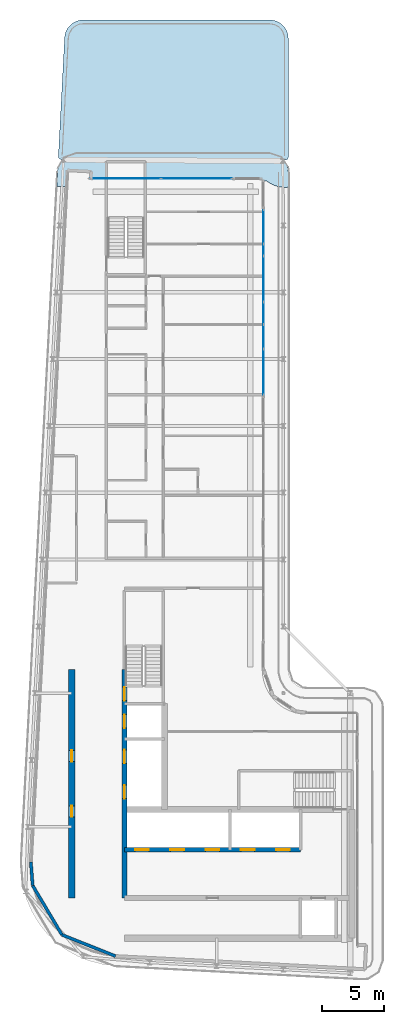
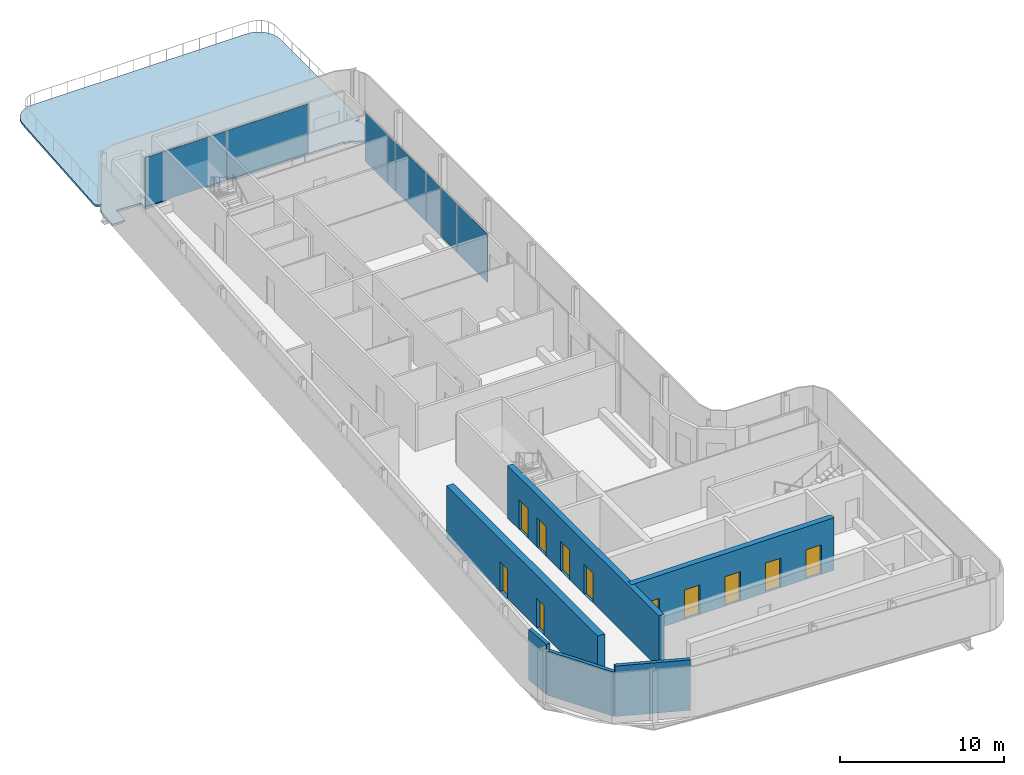
# One storey, part 8 of 15: 11 doors, 8 plates, 6 walls, 1 slab, 11 openings, 3 elements without a shape of their own.
"""IFC4 building model written with IfcOpenShell, lengths in metres."""

from ifc_helpers import new_model, si_unit, direction, frame, frame_2d, origin, origin_2d, place, context, subcontext, project, spatial, polyline, rectangle, outline, extrude, source, transform, mapped, material, layer, layer_set, type_object, element, fill, aggregate, save


model = new_model("IFC4")

# Units and contexts
model_context = context("Model", 3, precision=1e-05, world=origin(), true_north=direction((0.0, 1.0)))
body_context = subcontext(model_context, "Body", "Model", "MODEL_VIEW")
ifc_project = project(units=[si_unit("LENGTHUNIT", "METRE"), si_unit("AREAUNIT", "SQUARE_METRE"), si_unit("VOLUMEUNIT", "CUBIC_METRE"), si_unit("PLANEANGLEUNIT", "RADIAN"), si_unit("MASSUNIT", "GRAM", prefix="KILO")], contexts=[model_context])

# Site, building, storey
site_placement = place(None, origin())
site = spatial("IfcSite", under=ifc_project, at=site_placement, CompositionType="ELEMENT")
building_placement = place(site_placement, origin())
building = spatial("IfcBuilding", under=site, at=building_placement, Name="Kheshtan School and Residences Tower", CompositionType="ELEMENT")
storey_placement = place(building_placement, frame((0.0, 0.0, 338.300048828125)))
storey = spatial("IfcBuildingStorey", under=building, at=storey_placement, Name="L79", CompositionType="ELEMENT", Elevation=338.300048828125)

# Curtain wall, plates
ifc_material_1 = material(Name="Clear low-e glass in thermally broken aluminium frame", Category="aluminium")
ifc_layer_1 = layer(ifc_material_1, 0.199951171875)
ifc_layer_set_1 = layer_set([ifc_layer_1], Name="Curtain wall CW-L")
curtain_wall_type = type_object("IfcCurtainWallType", Name="Curtain wall CW-L", PredefinedType="NOTDEFINED", material=ifc_layer_set_1)
curtain_wall_1_placement = place(storey_placement, origin())
curtain_wall_1 = element("IfcCurtainWall", 1, at=curtain_wall_1_placement, inside=storey, type_object=curtain_wall_type, Name="Curtain wall CWL3", PredefinedType="NOTDEFINED")
ifc_layer_2 = layer(ifc_material_1, 0.031982421875)
ifc_layer_set_2 = layer_set([ifc_layer_2], Name="CW-L glass panel")
plate_type = type_object("IfcPlateType", Name="CW-L glass panel", PredefinedType="CURTAIN_PANEL", material=ifc_layer_set_2)
plate_1_placement = place(storey_placement, frame((34.8330078125, 87.199951171875, 0.0), z_axis=(0.0, 0.0, 1.0), x_axis=(1.0, 0.0, 0.0)))
plate_1 = element("IfcPlate", 2, at=plate_1_placement, type_object=plate_type, Name="CWL3 panel 1.1", PredefinedType="CURTAIN_PANEL", context=body_context, shape_type="SweptSolid", body=[
    extrude(rectangle(XDim=5.697998046875, YDim=0.031982421875, at=origin_2d()), origin(), (0.0, 0.0, 1.0), 3.6298828125),
])
plate_2_placement = place(storey_placement, frame((40.591064453125, 87.199951171875, 0.0), z_axis=(0.0, 0.0, 1.0), x_axis=(1.0, 0.0, 0.0)))
plate_2 = element("IfcPlate", 3, at=plate_2_placement, type_object=plate_type, Name="CWL3 panel 2.1", PredefinedType="CURTAIN_PANEL", context=body_context, shape_type="SweptSolid", body=[
    extrude(rectangle(XDim=5.697998046875, YDim=0.031982421875, at=origin_2d()), origin(), (0.0, 0.0, 1.0), 3.6298828125),
])
aggregate(curtain_wall_1, [plate_1, plate_2])

curtain_wall_2_placement = place(storey_placement, origin())
curtain_wall_2 = element("IfcCurtainWall", 4, at=curtain_wall_2_placement, inside=storey, type_object=curtain_wall_type, Name="Curtain wall CWL4", PredefinedType="NOTDEFINED")
plate_3_placement = place(storey_placement, frame((46.0, 83.284912109375, 0.0), z_axis=(0.0, 0.0, 1.0), x_axis=(0.0, -1.0, 0.0)))
plate_3 = element("IfcPlate", 5, at=plate_3_placement, type_object=plate_type, Name="CWL4 panel 1.1", PredefinedType="CURTAIN_PANEL", context=body_context, shape_type="SweptSolid", body=[
    extrude(rectangle(XDim=2.7099609375, YDim=0.031982421875, at=origin_2d()), origin(), (0.0, 0.0, 1.0), 3.6298828125),
])
plate_4_placement = place(storey_placement, frame((46.0, 81.420654296875, 0.0), z_axis=(0.0, 0.0, 1.0), x_axis=(0.0, -1.0, 0.0)))
plate_4 = element("IfcPlate", 6, at=plate_4_placement, type_object=plate_type, Name="CWL4 panel 2.1", PredefinedType="CURTAIN_PANEL", context=body_context, shape_type="SweptSolid", body=[
    extrude(rectangle(XDim=0.898681640625, YDim=0.031982421875, at=origin_2d()), origin(), (0.0, 0.0, 1.0), 3.6298828125),
])
plate_5_placement = place(storey_placement, frame((46.0, 79.076904296875, 0.0), z_axis=(0.0, 0.0, 1.0), x_axis=(0.0, -1.0, 0.0)))
plate_5 = element("IfcPlate", 7, at=plate_5_placement, type_object=plate_type, Name="CWL4 panel 3.1", PredefinedType="CURTAIN_PANEL", context=body_context, shape_type="SweptSolid", body=[
    extrude(rectangle(XDim=3.668701171875, YDim=0.031982421875, at=origin_2d()), origin(), (0.0, 0.0, 1.0), 3.6298828125),
])
aggregate(curtain_wall_2, [plate_3, plate_4, plate_5])

curtain_wall_3_placement = place(storey_placement, origin())
curtain_wall_3 = element("IfcCurtainWall", 8, at=curtain_wall_3_placement, inside=storey, type_object=curtain_wall_type, Name="Curtain wall CWL4", PredefinedType="NOTDEFINED")
plate_6_placement = place(storey_placement, frame((46.0, 76.30615234375, 0.0), z_axis=(0.0, 0.0, 1.0), x_axis=(0.0, -1.0, 0.0)))
plate_6 = element("IfcPlate", 9, at=plate_6_placement, type_object=plate_type, Name="CWL4 panel 1.1", PredefinedType="CURTAIN_PANEL", context=body_context, shape_type="SweptSolid", body=[
    extrude(rectangle(XDim=1.75244140625, YDim=0.031982421875, at=origin_2d()), origin(), (0.0, 0.0, 1.0), 3.6298828125),
])
plate_7_placement = place(storey_placement, frame((46.0, 74.411865234375, 0.0), z_axis=(0.0, 0.0, 1.0), x_axis=(0.0, -1.0, 0.0)))
plate_7 = element("IfcPlate", 10, at=plate_7_placement, type_object=plate_type, Name="CWL4 panel 2.1", PredefinedType="CURTAIN_PANEL", context=body_context, shape_type="SweptSolid", body=[
    extrude(rectangle(XDim=1.916259765625, YDim=0.031982421875, at=origin_2d()), origin(), (0.0, 0.0, 1.0), 3.6298828125),
])
plate_8_placement = place(storey_placement, frame((46.0, 71.559326171875, 0.0), z_axis=(0.0, 0.0, 1.0), x_axis=(0.0, -1.0, 0.0)))
plate_8 = element("IfcPlate", 11, at=plate_8_placement, type_object=plate_type, Name="CWL4 panel 3.1", PredefinedType="CURTAIN_PANEL", context=body_context, shape_type="SweptSolid", body=[
    extrude(rectangle(XDim=3.668701171875, YDim=0.031982421875, at=origin_2d()), origin(), (0.0, 0.0, 1.0), 3.6298828125),
])
aggregate(curtain_wall_3, [plate_6, plate_7, plate_8])

# Slab
ifc_material_2 = material(Name="Concrete C40/50", Category="concrete")
ifc_layer_3 = layer(ifc_material_2, 0.14990234375)
ifc_layer_set_3 = layer_set([ifc_layer_3], Name="Terrace slab 150 Concrete C40/50")
slab_type = type_object("IfcSlabType", Name="Terrace slab 150 Concrete C40/50", PredefinedType="FLOOR", material=ifc_layer_set_3)
slab_placement = place(storey_placement, frame((0.0, 0.0, -0.150146484375)))
element("IfcSlab", 12, at=slab_placement, inside=storey, type_object=slab_type, Name="Terrace slab L79", PredefinedType="FLOOR", context=body_context, shape_type="SweptSolid", body=[
    extrude(outline(polyline([(29.29296875, 86.568115234375), (29.35693359375, 87.779052734375), (29.363037109375, 87.826904296875), (29.363037109375, 87.827880859375), (29.362060546875, 87.827880859375), (29.362060546875, 87.8291015625), (29.361083984375, 87.8291015625), (29.361083984375, 87.830078125), (29.360107421875, 87.830078125), (29.360107421875, 87.8310546875), (29.35888671875, 87.8310546875), (29.35888671875, 87.83203125), (29.35888671875, 87.8330078125), (29.376953125, 87.98095703125), (29.376953125, 87.98388671875), (29.376953125, 87.985107421875), (29.3779296875, 87.985107421875), (29.3779296875, 87.986083984375), (29.37890625, 87.986083984375), (29.37890625, 87.987060546875), (29.3798828125, 87.987060546875), (29.381103515625, 87.987060546875), (29.381103515625, 87.988037109375), (29.382080078125, 87.988037109375), (29.43505859375, 88.18408203125), (29.514892578125, 88.375), (29.62109375, 88.552978515625), (29.7470703125, 88.7109375), (29.748046875, 88.7109375), (29.748046875, 88.7119140625), (29.7490234375, 88.7119140625), (29.7490234375, 88.712890625), (29.75, 88.712890625), (29.75, 88.714111328125), (29.81494140625, 88.777099609375), (29.81591796875, 88.777099609375), (29.81591796875, 88.778076171875), (29.81591796875, 88.779052734375), (29.81494140625, 88.779052734375), (29.81494140625, 88.780029296875), (29.81396484375, 88.780029296875), (29.81298828125, 88.780029296875), (29.803955078125, 88.77294921875), (29.781982421875, 88.760986328125), (29.759033203125, 88.7509765625), (29.739013671875, 88.743896484375), (29.736083984375, 88.743896484375), (29.7109375, 88.738037109375), (29.68701171875, 88.736083984375), (29.662109375, 88.735107421875), (29.636962890625, 88.737060546875), (29.613037109375, 88.741943359375), (29.610107421875, 88.741943359375), (29.589111328125, 88.7490234375), (29.56591796875, 88.758056640625), (29.5439453125, 88.77001953125), (29.52294921875, 88.782958984375), (29.507080078125, 88.7958984375), (29.507080078125, 88.797119140625), (29.506103515625, 88.797119140625), (29.506103515625, 88.798095703125), (29.5048828125, 88.798095703125), (29.5048828125, 88.799072265625), (29.50390625, 88.799072265625), (29.487060546875, 88.81591796875), (29.487060546875, 88.81689453125), (29.486083984375, 88.81689453125), (29.486083984375, 88.818115234375), (29.485107421875, 88.818115234375), (29.485107421875, 88.819091796875), (29.48388671875, 88.819091796875), (29.470947265625, 88.8349609375), (29.45703125, 88.85595703125), (29.445068359375, 88.8779296875), (29.43603515625, 88.90087890625), (29.427978515625, 88.9208984375), (29.427978515625, 88.924072265625), (29.424072265625, 88.948974609375), (29.4208984375, 88.972900390625), (29.4208984375, 88.998046875), (29.924072265625, 98.570068359375), (29.926025390625, 98.5869140625), (29.947998046875, 98.76708984375), (29.9541015625, 98.801025390625), (29.9541015625, 98.803955078125), (29.998046875, 98.967041015625), (30.010009765625, 99.0009765625), (30.077880859375, 99.159912109375), (30.092041015625, 99.18798828125), (30.178955078125, 99.3369140625), (30.18896484375, 99.35302734375), (30.199951171875, 99.367919921875), (30.304931640625, 99.4990234375), (30.305908203125, 99.4990234375), (30.305908203125, 99.5), (30.306884765625, 99.5), (30.306884765625, 99.5009765625), (30.30810546875, 99.5009765625), (30.30810546875, 99.501953125), (30.3310546875, 99.52587890625), (30.4560546875, 99.64501953125), (30.45703125, 99.64501953125), (30.45703125, 99.64599609375), (30.4580078125, 99.64599609375), (30.4580078125, 99.64697265625), (30.458984375, 99.64697265625), (30.458984375, 99.64794921875), (30.48291015625, 99.66796875), (30.6220703125, 99.76708984375), (30.65087890625, 99.783935546875), (30.804931640625, 99.864990234375), (30.8369140625, 99.87890625), (30.9990234375, 99.93701171875), (31.028076171875, 99.947021484375), (31.031005859375, 99.947021484375), (31.199951171875, 99.98291015625), (31.235107421875, 99.987060546875), (31.4140625, 99.9990234375), (31.430908203125, 100.0), (46.491943359375, 100.0), (46.508056640625, 99.9990234375), (46.678955078125, 99.988037109375), (46.7119140625, 99.98388671875), (46.8720703125, 99.951904296875), (46.903076171875, 99.944091796875), (46.906005859375, 99.944091796875), (47.05810546875, 99.89208984375), (47.089111328125, 99.87890625), (47.236083984375, 99.805908203125), (47.263916015625, 99.7900390625), (47.39990234375, 99.698974609375), (47.425048828125, 99.679931640625), (47.544921875, 99.575927734375), (47.544921875, 99.574951171875), (47.5458984375, 99.574951171875), (47.5458984375, 99.573974609375), (47.547119140625, 99.573974609375), (47.547119140625, 99.572998046875), (47.548095703125, 99.572998046875), (47.572998046875, 99.548095703125), (47.572998046875, 99.547119140625), (47.573974609375, 99.547119140625), (47.573974609375, 99.5458984375), (47.574951171875, 99.5458984375), (47.574951171875, 99.544921875), (47.575927734375, 99.544921875), (47.679931640625, 99.425048828125), (47.698974609375, 99.39990234375), (47.7900390625, 99.263916015625), (47.805908203125, 99.236083984375), (47.87890625, 99.089111328125), (47.89208984375, 99.05810546875), (47.944091796875, 98.906005859375), (47.944091796875, 98.903076171875), (47.951904296875, 98.8720703125), (47.98388671875, 98.7119140625), (47.988037109375, 98.678955078125), (47.9990234375, 98.508056640625), (48.0, 98.491943359375), (48.0, 88.924072265625), (47.9990234375, 88.89892578125), (47.9951171875, 88.875), (47.989013671875, 88.85107421875), (47.989013671875, 88.847900390625), (47.98095703125, 88.827880859375), (47.969970703125, 88.805908203125), (47.9580078125, 88.784912109375), (47.946044921875, 88.76806640625), (47.945068359375, 88.76806640625), (47.945068359375, 88.76708984375), (47.944091796875, 88.76708984375), (47.944091796875, 88.76611328125), (47.943115234375, 88.76611328125), (47.943115234375, 88.764892578125), (47.927001953125, 88.7470703125), (47.908935546875, 88.73095703125), (47.907958984375, 88.73095703125), (47.907958984375, 88.72998046875), (47.906982421875, 88.72998046875), (47.906982421875, 88.72900390625), (47.906005859375, 88.72900390625), (47.906005859375, 88.72802734375), (47.888916015625, 88.716064453125), (47.867919921875, 88.7041015625), (47.845947265625, 88.693115234375), (47.825927734375, 88.68505859375), (47.822998046875, 88.68505859375), (47.799072265625, 88.678955078125), (47.77490234375, 88.675048828125), (47.75, 88.674072265625), (47.72509765625, 88.675048828125), (47.700927734375, 88.678955078125), (47.677001953125, 88.68505859375), (47.674072265625, 88.68505859375), (47.654052734375, 88.693115234375), (47.632080078125, 88.7041015625), (47.611083984375, 88.716064453125), (47.595947265625, 88.72705078125), (47.594970703125, 88.72705078125), (47.593994140625, 88.72705078125), (47.593994140625, 88.72607421875), (47.593017578125, 88.72607421875), (47.593017578125, 88.72509765625), (47.593017578125, 88.72412109375), (47.68701171875, 88.615966796875), (47.68798828125, 88.615966796875), (47.68798828125, 88.614990234375), (47.68896484375, 88.614990234375), (47.68896484375, 88.614013671875), (47.68994140625, 88.614013671875), (47.694091796875, 88.614013671875), (47.695068359375, 88.614013671875), (47.695068359375, 88.613037109375), (47.696044921875, 88.613037109375), (47.696044921875, 88.612060546875), (47.799072265625, 88.45703125), (47.800048828125, 88.45703125), (47.800048828125, 88.4560546875), (47.801025390625, 88.4560546875), (47.801025390625, 88.455078125), (47.802001953125, 88.455078125), (47.802001953125, 88.4541015625), (47.802978515625, 88.4541015625), (47.802978515625, 88.452880859375), (47.802978515625, 88.449951171875), (47.802978515625, 88.448974609375), (47.802001953125, 88.448974609375), (47.802001953125, 88.447998046875), (47.801025390625, 88.447998046875), (47.801025390625, 88.447021484375), (47.801025390625, 88.446044921875), (47.801025390625, 88.445068359375), (47.885986328125, 88.27392578125), (47.948974609375, 88.091064453125), (47.948974609375, 88.087890625), (47.987060546875, 87.89599609375), (48.0, 87.699951171875), (48.0, 86.491943359375), (48.0, 86.490966796875), (47.9990234375, 86.490966796875), (47.863037109375, 86.47705078125), (47.837890625, 86.47607421875), (47.662109375, 86.47607421875), (47.636962890625, 86.47705078125), (47.363037109375, 86.5048828125), (47.339111328125, 86.509033203125), (47.1669921875, 86.544921875), (47.14306640625, 86.551025390625), (47.139892578125, 86.551025390625), (46.9541015625, 86.60693359375), (46.930908203125, 86.614990234375), (46.669921875, 86.72509765625), (46.64794921875, 86.736083984375), (46.5400390625, 86.7939453125), (46.51904296875, 86.805908203125), (46.291015625, 86.9560546875), (46.27099609375, 86.970947265625), (46.237060546875, 86.9990234375), (46.236083984375, 86.9990234375), (45.90087890625, 86.9990234375), (45.89990234375, 86.9990234375), (45.89990234375, 87.0), (45.89990234375, 87.097900390625), (45.89990234375, 87.09912109375), (45.89892578125, 87.09912109375), (45.89892578125, 87.10009765625), (45.89794921875, 87.10009765625), (36.35009765625, 87.10009765625), (36.35009765625, 88.4599609375), (33.39990234375, 88.4599609375), (33.39990234375, 87.10009765625), (31.925048828125, 87.10009765625), (31.924072265625, 87.10009765625), (31.952880859375, 87.639892578125), (31.952880859375, 87.64111328125), (31.951904296875, 87.64111328125), (31.951904296875, 87.64208984375), (31.950927734375, 87.64208984375), (31.949951171875, 87.64208984375), (30.260009765625, 87.73193359375), (30.259033203125, 87.73193359375), (30.259033203125, 87.73095703125), (30.258056640625, 87.73095703125), (30.258056640625, 87.72998046875), (30.258056640625, 87.72900390625), (30.25390625, 87.700927734375), (30.196044921875, 86.593994140625), (30.196044921875, 86.593017578125), (30.195068359375, 86.593017578125), (30.06005859375, 86.56591796875), (29.89404296875, 86.5458984375), (29.8701171875, 86.5439453125), (29.77490234375, 86.5380859375), (29.75, 86.537109375), (29.487060546875, 86.5419921875), (29.4619140625, 86.5439453125), (29.2939453125, 86.568115234375), (29.29296875, 86.568115234375)])), origin(), (0.0, 0.0, 1.0), 0.150146484375),
])

# Wall, openings, doors
ifc_material_3 = material(Name="Concrete C50/60", Category="concrete")
ifc_layer_4 = layer(ifc_material_3, 0.39990234375)
ifc_layer_set_4 = layer_set([ifc_layer_4], Name="Core wall 400 Concrete C50/60")
wall_type_1 = type_object("IfcWallType", Name="Core wall 400 Concrete C50/60", PredefinedType="SHEAR", material=ifc_layer_set_4)
wall_1_placement = place(storey_placement, frame((34.75, 32.949951171875, 0.0), z_axis=(0.0, 0.0, 1.0), x_axis=(1.0, 0.0, 0.0)))
wall_1 = element("IfcWall", 13, at=wall_1_placement, inside=storey, type_object=wall_type_1, Name="Core wall CW-HALL-S2", PredefinedType="SHEAR", context=body_context, shape_type="SweptSolid", body=[
    extrude(rectangle(XDim=14.25, YDim=0.39990234375, at=frame_2d((7.125, 0.0))), origin(), (0.0, 0.0, 1.0), 3.89990234375),
])
opening_1_placement = place(wall_1_placement, frame((0.875, 0.0, 0.0)))
opening_1 = element("IfcOpeningElement", 14, at=opening_1_placement, cuts=wall_1, Name="Opening LD", PredefinedType="OPENING", context=body_context, shape_type="SweptSolid", body=[
    extrude(rectangle(XDim=1.10009765625, YDim=2.199951171875, at=frame_2d((0.550048828125, 1.10009765625))), frame((0.0, 0.2099609375, 0.0), z_axis=(0.0, -1.0, 0.0), x_axis=(1.0, 0.0, 0.0)), (0.0, 0.0, 1.0), 0.419921875),
])
opening_2_placement = place(wall_1_placement, frame((3.72509765625, 0.0, 0.0)))
opening_2 = element("IfcOpeningElement", 15, at=opening_2_placement, cuts=wall_1, Name="Opening LD", PredefinedType="OPENING", context=body_context, shape_type="SweptSolid", body=[
    extrude(rectangle(XDim=1.10009765625, YDim=2.199951171875, at=frame_2d((0.550048828125, 1.10009765625))), frame((0.0, 0.2099609375, 0.0), z_axis=(0.0, -1.0, 0.0), x_axis=(1.0, 0.0, 0.0)), (0.0, 0.0, 1.0), 0.419921875),
])
opening_3_placement = place(wall_1_placement, frame((6.574951171875, 0.0, 0.0)))
opening_3 = element("IfcOpeningElement", 16, at=opening_3_placement, cuts=wall_1, Name="Opening LD", PredefinedType="OPENING", context=body_context, shape_type="SweptSolid", body=[
    extrude(rectangle(XDim=1.10009765625, YDim=2.199951171875, at=frame_2d((0.550048828125, 1.10009765625))), frame((0.0, 0.2099609375, 0.0), z_axis=(0.0, -1.0, 0.0), x_axis=(1.0, 0.0, 0.0)), (0.0, 0.0, 1.0), 0.419921875),
])
opening_4_placement = place(wall_1_placement, frame((9.425048828125, 0.0, 0.0)))
opening_4 = element("IfcOpeningElement", 17, at=opening_4_placement, cuts=wall_1, Name="Opening LD", PredefinedType="OPENING", context=body_context, shape_type="SweptSolid", body=[
    extrude(rectangle(XDim=1.10009765625, YDim=2.199951171875, at=frame_2d((0.550048828125, 1.10009765625))), frame((0.0, 0.2099609375, 0.0), z_axis=(0.0, -1.0, 0.0), x_axis=(1.0, 0.0, 0.0)), (0.0, 0.0, 1.0), 0.419921875),
])
opening_5_placement = place(wall_1_placement, frame((12.27490234375, 0.0, 0.0)))
opening_5 = element("IfcOpeningElement", 18, at=opening_5_placement, cuts=wall_1, Name="Opening LD", PredefinedType="OPENING", context=body_context, shape_type="SweptSolid", body=[
    extrude(rectangle(XDim=1.10009765625, YDim=2.199951171875, at=frame_2d((0.550048828125, 1.10009765625))), frame((0.0, 0.2099609375, 0.0), z_axis=(0.0, -1.0, 0.0), x_axis=(1.0, 0.0, 0.0)), (0.0, 0.0, 1.0), 0.419921875),
])
ifc_material_4 = material(Name="Stainless steel door leaves", Category="steel")
door_type_1 = type_object("IfcDoorType", Name="Lift landing door 1100", OperationType="SLIDING_TO_LEFT", PredefinedType="DOOR", material=ifc_material_4)
shared_shape_1 = source(origin(), body_context, "Body", "SweptSolid", [
    extrude(rectangle(XDim=1.10009765625, YDim=2.199951171875, at=frame_2d((0.550048828125, 1.10009765625))), frame((0.0, 0.02490234375, 0.0), z_axis=(0.0, -1.0, 0.0), x_axis=(1.0, 0.0, 0.0)), (0.0, 0.0, 1.0), 0.050048828125),
])
door_1_placement = place(opening_1_placement, origin())
door_1 = element("IfcDoor", 19, at=door_1_placement, inside=storey, type_object=door_type_1, Name="Lift P12 landing door", OperationType="SLIDING_TO_LEFT", OverallHeight=2.199951171875, OverallWidth=1.10009765625, PredefinedType="DOOR", context=body_context, shape_type="MappedRepresentation", body=[
    mapped(shared_shape_1, transform((0.0, 0.0, 0.0), x_axis=(1.0, 0.0, 0.0), y_axis=(0.0, 1.0, 0.0), z_axis=(0.0, 0.0, 1.0), scale=1.0)),
])
fill(opening_1, door_1)
door_2_placement = place(opening_2_placement, origin())
door_2 = element("IfcDoor", 20, at=door_2_placement, inside=storey, type_object=door_type_1, Name="Lift P13 landing door", OperationType="SLIDING_TO_LEFT", OverallHeight=2.199951171875, OverallWidth=1.10009765625, PredefinedType="DOOR", context=body_context, shape_type="MappedRepresentation", body=[
    mapped(shared_shape_1, transform((0.0, 0.0, 0.0), x_axis=(1.0, 0.0, 0.0), y_axis=(0.0, 1.0, 0.0), z_axis=(0.0, 0.0, 1.0), scale=1.0)),
])
fill(opening_2, door_2)
door_3_placement = place(opening_3_placement, origin())
door_3 = element("IfcDoor", 21, at=door_3_placement, inside=storey, type_object=door_type_1, Name="Lift P14 landing door", OperationType="SLIDING_TO_LEFT", OverallHeight=2.199951171875, OverallWidth=1.10009765625, PredefinedType="DOOR", context=body_context, shape_type="MappedRepresentation", body=[
    mapped(shared_shape_1, transform((0.0, 0.0, 0.0), x_axis=(1.0, 0.0, 0.0), y_axis=(0.0, 1.0, 0.0), z_axis=(0.0, 0.0, 1.0), scale=1.0)),
])
fill(opening_3, door_3)
door_4_placement = place(opening_4_placement, origin())
door_4 = element("IfcDoor", 22, at=door_4_placement, inside=storey, type_object=door_type_1, Name="Lift P15 landing door", OperationType="SLIDING_TO_LEFT", OverallHeight=2.199951171875, OverallWidth=1.10009765625, PredefinedType="DOOR", context=body_context, shape_type="MappedRepresentation", body=[
    mapped(shared_shape_1, transform((0.0, 0.0, 0.0), x_axis=(1.0, 0.0, 0.0), y_axis=(0.0, 1.0, 0.0), z_axis=(0.0, 0.0, 1.0), scale=1.0)),
])
fill(opening_4, door_4)
door_5_placement = place(opening_5_placement, origin())
door_5 = element("IfcDoor", 23, at=door_5_placement, inside=storey, type_object=door_type_1, Name="Lift P16 landing door", OperationType="SLIDING_TO_LEFT", OverallHeight=2.199951171875, OverallWidth=1.10009765625, PredefinedType="DOOR", context=body_context, shape_type="MappedRepresentation", body=[
    mapped(shared_shape_1, transform((0.0, 0.0, 0.0), x_axis=(1.0, 0.0, 0.0), y_axis=(0.0, 1.0, 0.0), z_axis=(0.0, 0.0, 1.0), scale=1.0)),
])
fill(opening_5, door_5)

wall_2_placement = place(storey_placement, frame((34.75, 29.050048828125, 0.0), z_axis=(0.0, 0.0, 1.0), x_axis=(0.0, 1.0, 0.0)))
wall_2 = element("IfcWall", 24, at=wall_2_placement, inside=storey, type_object=wall_type_1, Name="Core wall CW-HALL-W1", PredefinedType="SHEAR", context=body_context, shape_type="SweptSolid", body=[
    extrude(rectangle(XDim=18.449951171875, YDim=0.39990234375, at=frame_2d((9.22509765625, 0.0))), origin(), (0.0, 0.0, 1.0), 3.89990234375),
])
opening_6_placement = place(wall_2_placement, frame((8.02490234375, 0.0, 0.0)))
opening_6 = element("IfcOpeningElement", 25, at=opening_6_placement, cuts=wall_2, Name="Opening LD", PredefinedType="OPENING", context=body_context, shape_type="SweptSolid", body=[
    extrude(rectangle(XDim=1.10009765625, YDim=2.199951171875, at=frame_2d((0.550048828125, 1.10009765625))), frame((0.0, 0.2099609375, 0.0), z_axis=(0.0, -1.0, 0.0), x_axis=(1.0, 0.0, 0.0)), (0.0, 0.0, 1.0), 0.419921875),
])
opening_7_placement = place(wall_2_placement, frame((10.875, 0.0, 0.0)))
opening_7 = element("IfcOpeningElement", 26, at=opening_7_placement, cuts=wall_2, Name="Opening LD", PredefinedType="OPENING", context=body_context, shape_type="SweptSolid", body=[
    extrude(rectangle(XDim=1.10009765625, YDim=2.199951171875, at=frame_2d((0.550048828125, 1.10009765625))), frame((0.0, 0.2099609375, 0.0), z_axis=(0.0, -1.0, 0.0), x_axis=(1.0, 0.0, 0.0)), (0.0, 0.0, 1.0), 0.419921875),
])
opening_8_placement = place(wall_2_placement, frame((13.72509765625, 0.0, 0.0)))
opening_8 = element("IfcOpeningElement", 27, at=opening_8_placement, cuts=wall_2, Name="Opening LD", PredefinedType="OPENING", context=body_context, shape_type="SweptSolid", body=[
    extrude(rectangle(XDim=1.10009765625, YDim=2.199951171875, at=frame_2d((0.550048828125, 1.10009765625))), frame((0.0, 0.2099609375, 0.0), z_axis=(0.0, -1.0, 0.0), x_axis=(1.0, 0.0, 0.0)), (0.0, 0.0, 1.0), 0.419921875),
])
opening_9_placement = place(wall_2_placement, frame((15.949951171875, 0.0, 0.0)))
opening_9 = element("IfcOpeningElement", 28, at=opening_9_placement, cuts=wall_2, Name="Opening ST2D", PredefinedType="OPENING", context=body_context, shape_type="SweptSolid", body=[
    extrude(rectangle(XDim=1.10009765625, YDim=2.199951171875, at=frame_2d((0.550048828125, 1.10009765625))), frame((0.0, 0.2099609375, 0.0), z_axis=(0.0, -1.0, 0.0), x_axis=(1.0, 0.0, 0.0)), (0.0, 0.0, 1.0), 0.419921875),
])
door_6_placement = place(opening_6_placement, origin())
door_6 = element("IfcDoor", 29, at=door_6_placement, inside=storey, type_object=door_type_1, Name="Lift SV1 landing door", OperationType="SLIDING_TO_LEFT", OverallHeight=2.199951171875, OverallWidth=1.10009765625, PredefinedType="DOOR", context=body_context, shape_type="MappedRepresentation", body=[
    mapped(shared_shape_1, transform((0.0, 0.0, 0.0), x_axis=(1.0, 0.0, 0.0), y_axis=(0.0, 1.0, 0.0), z_axis=(0.0, 0.0, 1.0), scale=1.0)),
])
fill(opening_6, door_6)
door_7_placement = place(opening_7_placement, origin())
door_7 = element("IfcDoor", 30, at=door_7_placement, inside=storey, type_object=door_type_1, Name="Lift SV2 landing door", OperationType="SLIDING_TO_LEFT", OverallHeight=2.199951171875, OverallWidth=1.10009765625, PredefinedType="DOOR", context=body_context, shape_type="MappedRepresentation", body=[
    mapped(shared_shape_1, transform((0.0, 0.0, 0.0), x_axis=(1.0, 0.0, 0.0), y_axis=(0.0, 1.0, 0.0), z_axis=(0.0, 0.0, 1.0), scale=1.0)),
])
fill(opening_7, door_7)
door_8_placement = place(opening_8_placement, origin())
door_8 = element("IfcDoor", 31, at=door_8_placement, inside=storey, type_object=door_type_1, Name="Lift FFL1 landing door", OperationType="SLIDING_TO_LEFT", OverallHeight=2.199951171875, OverallWidth=1.10009765625, PredefinedType="DOOR", context=body_context, shape_type="MappedRepresentation", body=[
    mapped(shared_shape_1, transform((0.0, 0.0, 0.0), x_axis=(1.0, 0.0, 0.0), y_axis=(0.0, 1.0, 0.0), z_axis=(0.0, 0.0, 1.0), scale=1.0)),
])
fill(opening_8, door_8)
ifc_material_5 = material(Name="Steel door leaf, galvanised", Category="steel")
door_type_2 = type_object("IfcDoorType", Name="Stair door 1100 steel 90 min", OperationType="SINGLE_SWING_LEFT", PredefinedType="DOOR", material=ifc_material_5)
shared_shape_2 = source(origin(), body_context, "Body", "SweptSolid", [
    extrude(rectangle(XDim=1.10009765625, YDim=2.199951171875, at=frame_2d((0.550048828125, 1.10009765625))), frame((0.0, 0.02490234375, 0.0), z_axis=(0.0, -1.0, 0.0), x_axis=(1.0, 0.0, 0.0)), (0.0, 0.0, 1.0), 0.050048828125),
])
door_9_placement = place(opening_9_placement, origin())
door_9 = element("IfcDoor", 32, at=door_9_placement, inside=storey, type_object=door_type_2, Name="Stair ST2 door", OperationType="SINGLE_SWING_RIGHT", OverallHeight=2.199951171875, OverallWidth=1.10009765625, PredefinedType="DOOR", context=body_context, shape_type="MappedRepresentation", body=[
    mapped(shared_shape_2, transform((0.0, 0.0, 0.0), x_axis=(1.0, 0.0, 0.0), y_axis=(0.0, 1.0, 0.0), z_axis=(0.0, 0.0, 1.0), scale=1.0)),
])
fill(opening_9, door_9)

ifc_layer_5 = layer(ifc_material_3, 0.5)
ifc_layer_set_5 = layer_set([ifc_layer_5], Name="Core wall 500 Concrete C50/60")
wall_type_2 = type_object("IfcWallType", Name="Core wall 500 Concrete C50/60", PredefinedType="SHEAR", material=ifc_layer_set_5)
wall_3_placement = place(storey_placement, frame((30.5, 29.050048828125, 0.0), z_axis=(0.0, 0.0, 1.0), x_axis=(0.0, 1.0, 0.0)))
wall_3 = element("IfcWall", 33, at=wall_3_placement, inside=storey, type_object=wall_type_2, Name="Core wall CW-REAR-W", PredefinedType="SHEAR", context=body_context, shape_type="SweptSolid", body=[
    extrude(rectangle(XDim=18.449951171875, YDim=0.5, at=frame_2d((9.22509765625, 0.0))), origin(), (0.0, 0.0, 1.0), 3.89990234375),
])
opening_10_placement = place(wall_3_placement, frame((6.550048828125, 0.0, 0.0)))
opening_10 = element("IfcOpeningElement", 34, at=opening_10_placement, cuts=wall_3, Name="Opening SR90", PredefinedType="OPENING", context=body_context, shape_type="SweptSolid", body=[
    extrude(rectangle(XDim=0.89990234375, YDim=2.199951171875, at=frame_2d((0.449951171875, 1.10009765625))), frame((0.0, 0.260009765625, 0.0), z_axis=(0.0, -1.0, 0.0), x_axis=(1.0, 0.0, 0.0)), (0.0, 0.0, 1.0), 0.52001953125),
])
opening_11_placement = place(wall_3_placement, frame((11.02490234375, 0.0, 0.0)))
opening_11 = element("IfcOpeningElement", 35, at=opening_11_placement, cuts=wall_3, Name="Opening SR90", PredefinedType="OPENING", context=body_context, shape_type="SweptSolid", body=[
    extrude(rectangle(XDim=0.89990234375, YDim=2.199951171875, at=frame_2d((0.449951171875, 1.10009765625))), frame((0.0, 0.260009765625, 0.0), z_axis=(0.0, -1.0, 0.0), x_axis=(1.0, 0.0, 0.0)), (0.0, 0.0, 1.0), 0.52001953125),
])
door_type_3 = type_object("IfcDoorType", Name="Service room door 900 steel 90 min", OperationType="SINGLE_SWING_LEFT", PredefinedType="DOOR", material=ifc_material_5)
shared_shape_3 = source(origin(), body_context, "Body", "SweptSolid", [
    extrude(rectangle(XDim=0.89990234375, YDim=2.199951171875, at=frame_2d((0.449951171875, 1.10009765625))), frame((0.0, 0.02490234375, 0.0), z_axis=(0.0, -1.0, 0.0), x_axis=(1.0, 0.0, 0.0)), (0.0, 0.0, 1.0), 0.050048828125),
])
door_10_placement = place(opening_10_placement, origin())
door_10 = element("IfcDoor", 36, at=door_10_placement, inside=storey, type_object=door_type_3, Name="Service room door", OperationType="SINGLE_SWING_RIGHT", OverallHeight=2.199951171875, OverallWidth=0.89990234375, PredefinedType="DOOR", context=body_context, shape_type="MappedRepresentation", body=[
    mapped(shared_shape_3, transform((0.0, 0.0, 0.0), x_axis=(1.0, 0.0, 0.0), y_axis=(0.0, 1.0, 0.0), z_axis=(0.0, 0.0, 1.0), scale=1.0)),
])
fill(opening_10, door_10)
door_11_placement = place(opening_11_placement, origin())
door_11 = element("IfcDoor", 37, at=door_11_placement, inside=storey, type_object=door_type_3, Name="Service room door", OperationType="SINGLE_SWING_RIGHT", OverallHeight=2.199951171875, OverallWidth=0.89990234375, PredefinedType="DOOR", context=body_context, shape_type="MappedRepresentation", body=[
    mapped(shared_shape_3, transform((0.0, 0.0, 0.0), x_axis=(1.0, 0.0, 0.0), y_axis=(0.0, 1.0, 0.0), z_axis=(0.0, 0.0, 1.0), scale=1.0)),
])
fill(opening_11, door_11)

# Walls
ifc_material_6 = material(Name="Concrete C40/50 with ceramic cladding and mineral wool insulation", Category="concrete")
ifc_layer_6 = layer(ifc_material_6, 0.25)
ifc_layer_set_6 = layer_set([ifc_layer_6], Name="External wall 250 ceramic clad")
wall_type_3 = type_object("IfcWallType", Name="External wall 250 ceramic clad", PredefinedType="SOLIDWALL", material=ifc_layer_set_6)
wall_4_placement = place(storey_placement, frame((34.0390625, 24.35302734375, 0.0), z_axis=(0.0, 0.0, 1.0), x_axis=(-0.929352825399, 0.369192803184, 0.0)))
element("IfcWall", 38, at=wall_4_placement, inside=storey, type_object=wall_type_3, Name="External wall L79 13", PredefinedType="SOLIDWALL", context=body_context, shape_type="SweptSolid", body=[
    extrude(rectangle(XDim=4.656005859375, YDim=0.25, at=frame_2d((2.328125, 0.0))), origin(), (0.0, 0.0, 1.0), 3.75),
])
wall_5_placement = place(storey_placement, frame((29.7119140625, 26.072021484375, 0.0), z_axis=(0.0, 0.0, 1.0), x_axis=(-0.511028049012, 0.859564036662, 0.0)))
element("IfcWall", 39, at=wall_5_placement, inside=storey, type_object=wall_type_3, Name="External wall L79 14", PredefinedType="SOLIDWALL", context=body_context, shape_type="SweptSolid", body=[
    extrude(rectangle(XDim=4.633544921875, YDim=0.25, at=frame_2d((2.31689453125, 0.0))), origin(), (0.0, 0.0, 1.0), 3.29296875),
])
wall_6_placement = place(storey_placement, frame((27.343994140625, 30.054931640625, 0.0), z_axis=(0.0, 0.0, 1.0), x_axis=(-0.077571675317, 0.99698677784, 0.0)))
element("IfcWall", 40, at=wall_6_placement, inside=storey, type_object=wall_type_3, Name="External wall L79 15", PredefinedType="SOLIDWALL", context=body_context, shape_type="SweptSolid", body=[
    extrude(rectangle(XDim=1.919921875, YDim=0.25, at=frame_2d((0.9599609375, 0.0))), origin(), (0.0, 0.0, 1.0), 3.75),
])

save(model, "model.ifc")
